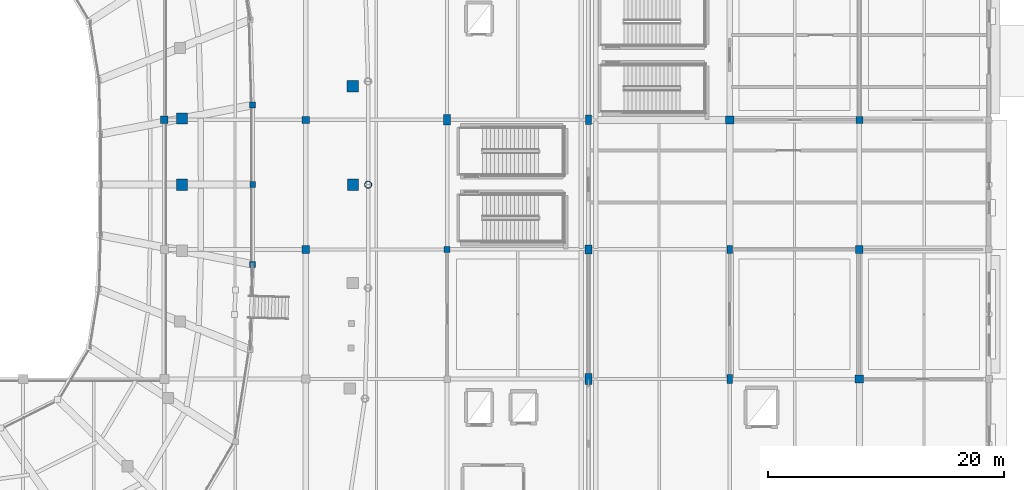
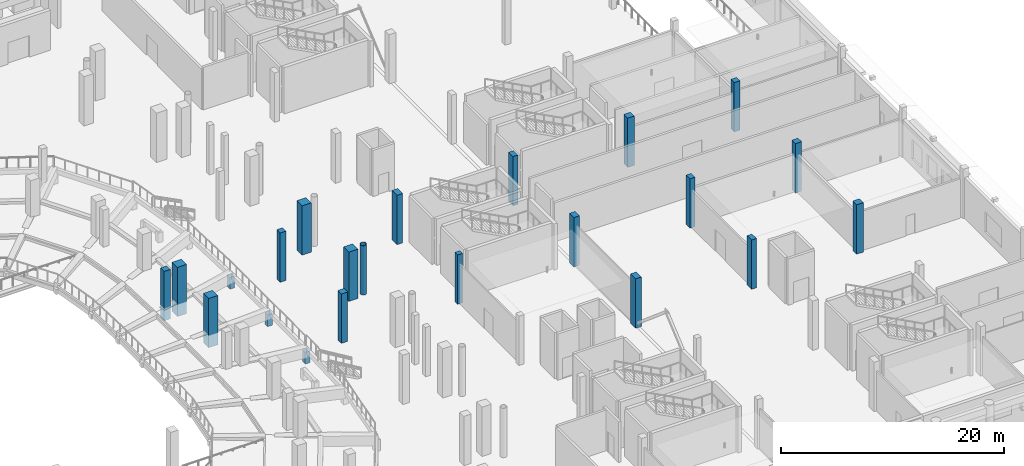
# One storey, part 11 of 120: 22 columns.
"""IFC4 building model written with IfcOpenShell, lengths in metres."""

import ifcopenshell
import ifcopenshell.guid

model = None  # the IFC model being written
_history = None  # IfcOwnerHistory: only IFC2X3 demands one
_inside = {}  # id of a spatial element -> (the spatial element, [elements in it])
_under = {}  # id of a project, library or spatial element -> (it, [spatial elements below it])
_declared = {}  # id of a project -> (the project, [libraries it declares])
_typed = {}  # id of a type object -> (the type object, [elements of that type])
_made_of = {}  # id of a material, layer set ... -> (it, [elements and type objects made of it])


def new_model(schema):
    """Start an empty IFC model of exactly this schema.

    Asked for "IFC4X3", IfcOpenShell would pick the latest addendum, in which some entities
    have other attributes; the version numbers below select the first issue.
    IFC2X3 requires an IfcOwnerHistory on every rooted entity: one is made here for all.
    """
    global model, _history
    if schema == "IFC4X3":
        model = ifcopenshell.file(schema_version=(4, 3, 0, 0))
    else:
        model = ifcopenshell.file(schema=schema)
    _inside.clear()
    _under.clear()
    _declared.clear()
    _typed.clear()
    _made_of.clear()
    _history = None
    if model.schema == "IFC2X3":
        org = make("IfcOrganization", Name="unknown")
        user = make(
            "IfcPersonAndOrganization",
            ThePerson=make("IfcPerson", FamilyName="unknown"),
            TheOrganization=org,
        )
        app = make(
            "IfcApplication",
            ApplicationDeveloper=org,
            Version="unknown",
            ApplicationFullName="unknown",
            ApplicationIdentifier="unknown",
        )
        _history = make(
            "IfcOwnerHistory",
            OwningUser=user,
            OwningApplication=app,
            ChangeAction="ADDED",
            CreationDate=0,
        )
    return model


def make(cls, **values):
    """One entity of the class cls with the attributes given. An attribute that is None is left unset."""
    return model.create_entity(
        cls, **{name: value for name, value in values.items() if value is not None}
    )


def rooted(cls, **values):
    """An entity with a GlobalId (a new one), such as an element, a storey or a relation."""
    return make(cls, GlobalId=ifcopenshell.guid.new(), OwnerHistory=_history, **values)


def si_unit(unit_type, name, prefix=None):
    """IfcSIUnit, for example si_unit("LENGTHUNIT", "METRE", prefix="MILLI")."""
    return make("IfcSIUnit", UnitType=unit_type, Prefix=prefix, Name=name)


def assignment(units):
    """IfcUnitAssignment: the units of a project."""
    return None if units is None else make("IfcUnitAssignment", Units=units)


def point(xyz):
    """IfcCartesianPoint."""
    return None if xyz is None else make("IfcCartesianPoint", Coordinates=xyz)


def direction(xyz):
    """IfcDirection."""
    return None if xyz is None else make("IfcDirection", DirectionRatios=xyz)


def frame(location, z_axis=None, x_axis=None):
    """IfcAxis2Placement3D, a coordinate frame: its origin and axes. An axis left out is left unset."""
    return make(
        "IfcAxis2Placement3D",
        Location=point(location),
        Axis=direction(z_axis),
        RefDirection=direction(x_axis),
    )


def frame_2d(location, x_axis=None):
    """IfcAxis2Placement2D, a coordinate frame in the plane: its origin and x axis."""
    return make(
        "IfcAxis2Placement2D", Location=point(location), RefDirection=direction(x_axis)
    )


def origin():
    """The frame at (0, 0, 0) with its axes left unset."""
    return frame((0.0, 0.0, 0.0))


def origin_2d():
    """The frame at (0, 0) in the plane with its x axis left unset."""
    return frame_2d((0.0, 0.0))


def place(relative_to, where):
    """IfcLocalPlacement: puts the frame where relative to a parent placement (None: the world)."""
    return make(
        "IfcLocalPlacement", PlacementRelTo=relative_to, RelativePlacement=where
    )


def context(
    kind, dimensions, precision=None, world=None, true_north=None, identifier=None
):
    """IfcGeometricRepresentationContext, for example the 3D "Model" context."""
    return make(
        "IfcGeometricRepresentationContext",
        ContextIdentifier=identifier,
        ContextType=kind,
        CoordinateSpaceDimension=dimensions,
        Precision=precision,
        WorldCoordinateSystem=world,
        TrueNorth=true_north,
    )


def subcontext(parent, identifier, kind, view, scale=None):
    """IfcGeometricRepresentationSubContext, for example "Body" below "Model"."""
    return make(
        "IfcGeometricRepresentationSubContext",
        ContextIdentifier=identifier,
        ContextType=kind,
        ParentContext=parent,
        TargetScale=scale,
        TargetView=view,
    )


def project(units=None, contexts=None):
    """IfcProject with its units and contexts."""
    return rooted(
        "IfcProject",
        Name="project",
        RepresentationContexts=contexts,
        UnitsInContext=assignment(units),
    )


def spatial(cls, under=None, at=None, **own):
    """A site, building, storey or space (cls), placed at a placement, below another one or the project."""
    s = rooted(cls, ObjectPlacement=at, **own)
    if under is not None:
        _under.setdefault(under.id(), (under, []))[1].append(s)
    return s


def profile(cls, at=None, kind="AREA", **sizes):
    """A parametric profile (cls). Its sizes go by their IFC names, for example OverallWidth=200.0."""
    return make(cls, ProfileType=kind, Position=at, **sizes)


def rectangle(**sizes):
    """IfcRectangleProfileDef."""
    return profile("IfcRectangleProfileDef", **sizes)


def hollow_circle(**sizes):
    """IfcCircleHollowProfileDef."""
    return profile("IfcCircleHollowProfileDef", **sizes)


def extrude(swept, where, along, depth):
    """IfcExtrudedAreaSolid: the profile swept, set in the frame where, extruded along a direction by depth."""
    return make(
        "IfcExtrudedAreaSolid",
        SweptArea=swept,
        Position=where,
        ExtrudedDirection=direction(along),
        Depth=depth,
    )


def shape(context_of_items, identifier, shape_type, items):
    """IfcShapeRepresentation: the items that make up one representation, for example the "Body"."""
    return make(
        "IfcShapeRepresentation",
        ContextOfItems=context_of_items,
        RepresentationIdentifier=identifier,
        RepresentationType=shape_type,
        Items=items,
    )


def material(Name=None, Category=None):
    """IfcMaterial."""
    return make("IfcMaterial", Name=Name, Category=Category)


def material_profile(
    of_material, cross_section, Name=None, Category=None, Priority=None
):
    """IfcMaterialProfile: a cross section and its material."""
    return make(
        "IfcMaterialProfile",
        Name=Name,
        Material=of_material,
        Profile=cross_section,
        Priority=Priority,
        Category=Category,
    )


def profile_set(profiles, Name=None, composite=None):
    """IfcMaterialProfileSet."""
    return make(
        "IfcMaterialProfileSet",
        Name=Name,
        MaterialProfiles=profiles,
        CompositeProfile=composite,
    )


def made_of(thing, what):
    """Note that an element or type object is made of a material, layer set ...; save() writes the relation."""
    if what is not None:
        _made_of.setdefault(what.id(), (what, []))[1].append(thing)
    return thing


def type_object(cls, material=None, **own):
    """A type object (cls), such as IfcWallType, which elements share."""
    return made_of(rooted(cls, **own), material)


def element(
    cls,
    number,
    at=None,
    inside=None,
    cuts=None,
    type_object=None,
    material=None,
    context=None,
    identifier="Body",
    shape_type=None,
    held_by="IfcProductDefinitionShape",
    body=None,
    shapes=None,
    **own,
):
    """One element of the class cls, such as IfcWall. Its Tag is "e" and its number.

    at: its placement. inside: the storey or other place that contains it. cuts: it is an
    opening in that element (IfcRelVoidsElement). A single representation is given by context,
    identifier, shape_type and body (its items); several are given by shapes. held_by: the class
    of the entity that holds the representations. save() writes the other relations.
    """
    e = rooted(cls, Tag="e%d" % number, ObjectPlacement=at, **own)
    if body is not None:
        shapes = [shape(context, identifier, shape_type, body)]
    if shapes is not None:
        e.Representation = make(held_by, Representations=shapes)
    if inside is not None:
        _inside.setdefault(inside.id(), (inside, []))[1].append(e)
    if cuts is not None:
        rooted(
            "IfcRelVoidsElement", RelatingBuildingElement=cuts, RelatedOpeningElement=e
        )
    if type_object is not None:
        _typed.setdefault(type_object.id(), (type_object, []))[1].append(e)
    return made_of(e, material)


def aggregate(whole, parts):
    """IfcRelAggregates: a whole, such as a stair, and the parts it consists of."""
    return rooted("IfcRelAggregates", RelatingObject=whole, RelatedObjects=parts)


def save(model, path):
    """Write the relations noted so far, then the file.

    IfcRelAggregates (storeys below a building ...), IfcRelContainedInSpatialStructure (elements
    in a storey), IfcRelDefinesByType, IfcRelAssociatesMaterial and IfcRelDeclares: one each for
    every whole, place, type object, material and project.
    """
    for whole, parts in _under.values():
        aggregate(whole, parts)
    for where, things in _inside.values():
        rooted(
            "IfcRelContainedInSpatialStructure",
            RelatedElements=things,
            RelatingStructure=where,
        )
    for kind, things in _typed.values():
        rooted("IfcRelDefinesByType", RelatedObjects=things, RelatingType=kind)
    for what, things in _made_of.values():
        rooted("IfcRelAssociatesMaterial", RelatedObjects=things, RelatingMaterial=what)
    for by, libraries in _declared.values():
        rooted("IfcRelDeclares", RelatingContext=by, RelatedDefinitions=libraries)
    model.write(path)


model = new_model("IFC4")

# Units and contexts
model_context = context("Model", 3, precision=1e-05, world=origin(), true_north=direction((0.0, 1.0)))
body_context = subcontext(model_context, "Body", "Model", "MODEL_VIEW")
ifc_project = project(units=[si_unit("LENGTHUNIT", "METRE"), si_unit("AREAUNIT", "SQUARE_METRE"), si_unit("VOLUMEUNIT", "CUBIC_METRE"), si_unit("PLANEANGLEUNIT", "RADIAN"), si_unit("MASSUNIT", "GRAM", prefix="KILO")], contexts=[model_context])

# Site, building, storey
site_placement = place(None, origin())
site = spatial("IfcSite", under=ifc_project, at=site_placement, CompositionType="ELEMENT")
building_placement = place(site_placement, origin())
building = spatial("IfcBuilding", under=site, at=building_placement, Name="Luwafu Chhajja Arena", CompositionType="ELEMENT")
storey_placement = place(building_placement, origin())
storey = spatial("IfcBuildingStorey", under=building, at=storey_placement, Name="L00", CompositionType="ELEMENT", Elevation=0.0)

# Columns
ifc_material_1 = material(Name="Concrete C35/45", Category="concrete")
ifc_material_profile_1 = material_profile(ifc_material_1, rectangle(XDim=0.5, YDim=0.800048828125, at=origin_2d()), Name="RC 500x800")
ifc_profile_set_1 = profile_set([ifc_material_profile_1], Name="Concrete C35/45")
column_type_1 = type_object("IfcColumnType", Name="BOH Frame Column RC 500x800", PredefinedType="COLUMN", material=ifc_profile_set_1)
for number, where, z_axis, x_axis, name in (
    (1, (164.0, 55.0, 0.0), (0.0, 0.0, 1.0), (1.0, 0.0, 0.0), "L00 Grid Column 15/F"),
    (2, (176.0, 33.0, 0.0), (0.0, 0.0, 1.0), (1.0, 0.0, 0.0), "L00 Grid Column 16/D"),
):
    element("IfcColumn", number, at=place(storey_placement, frame(where, z_axis=z_axis, x_axis=x_axis)), inside=storey, type_object=column_type_1, Name=name, PredefinedType="COLUMN", context=body_context, shape_type="SweptSolid", body=[
        extrude(rectangle(XDim=0.5, YDim=0.800048828125, at=origin_2d()), origin(), (0.0, 0.0, 1.0), 5.39990234375),
    ])
ifc_material_2 = material(Name="Concrete C40/50", Category="concrete")
ifc_material_profile_2 = material_profile(ifc_material_2, rectangle(XDim=0.949951171875, YDim=0.949951171875, at=origin_2d()), Name="RC 950x950")
ifc_profile_set_2 = profile_set([ifc_material_profile_2], Name="Concrete C40/50")
column_type_2 = type_object("IfcColumnType", Name="Bowl Raker Support Column RC 950", PredefinedType="COLUMN", material=ifc_profile_set_2)
for number, where, z_axis, x_axis, name in (
    (3, (129.5, 49.5, 0.0), (0.0, 0.0, 1.0), (1.0, 0.0, 0.0), "L00 Upper Bowl Raker Column UI01"),
    (4, (129.49169921875, 55.10791015625, 0.0), (0.0, 0.0, 1.0), (1.0, 0.0, 0.0), "L00 Upper Bowl Raker Column UI02"),
    (5, (144.0, 49.5, 0.0), (0.0, 0.0, 1.0), (1.0, 0.0, 0.0), "L00 Upper Bowl Raker Column UO01"),
    (6, (143.98779296875, 57.85205078125, 0.0), (0.0, 0.0, 1.0), (1.0, 0.0, 0.0), "L00 Upper Bowl Raker Column UO02"),
):
    element("IfcColumn", number, at=place(storey_placement, frame(where, z_axis=z_axis, x_axis=x_axis)), inside=storey, type_object=column_type_2, Name=name, PredefinedType="COLUMN", context=body_context, shape_type="SweptSolid", body=[
        extrude(rectangle(XDim=0.949951171875, YDim=0.949951171875, at=origin_2d()), origin(), (0.0, 0.0, 1.0), 5.39990234375),
    ])
ifc_material_profile_3 = material_profile(ifc_material_1, rectangle(XDim=0.60009765625, YDim=0.60009765625, at=origin_2d()), Name="RC 600x600")
ifc_profile_set_3 = profile_set([ifc_material_profile_3], Name="Concrete C35/45")
column_type_3 = type_object("IfcColumnType", Name="Mezzanine Column RC 600", PredefinedType="COLUMN", material=ifc_profile_set_3)
for number, where, z_axis, x_axis, name in (
    (7, (140.0, 55.0, 0.0), (0.0, 0.0, 1.0), (1.0, 0.0, 0.0), "L00 Grid Column 13/F"),
    (8, (187.0, 55.0, 0.0), (0.0, 0.0, 1.0), (1.0, 0.0, 0.0), "L00 Grid Column 17/F"),
):
    element("IfcColumn", number, at=place(storey_placement, frame(where, z_axis=z_axis, x_axis=x_axis)), inside=storey, type_object=column_type_3, Name=name, PredefinedType="COLUMN", context=body_context, shape_type="SweptSolid", body=[
        extrude(rectangle(XDim=0.60009765625, YDim=0.60009765625, at=origin_2d()), origin(), (0.0, 0.0, 1.0), 5.39990234375),
    ])
ifc_material_profile_4 = material_profile(ifc_material_1, rectangle(XDim=0.5, YDim=0.5, at=origin_2d()), Name="RC 500x500")
ifc_profile_set_4 = profile_set([ifc_material_profile_4], Name="Concrete C35/45")
column_type_4 = type_object("IfcColumnType", Name="Pavilion Column RC 500", PredefinedType="COLUMN", material=ifc_profile_set_4)
column_1_placement = place(storey_placement, frame((152.0, 44.0, 0.0), z_axis=(0.0, 0.0, 1.0), x_axis=(1.0, 0.0, 0.0)))
element("IfcColumn", 9, at=column_1_placement, inside=storey, type_object=column_type_4, Name="L00 Grid Column 14/E", PredefinedType="COLUMN", context=body_context, shape_type="SweptSolid", body=[
    extrude(rectangle(XDim=0.5, YDim=0.5, at=origin_2d()), origin(), (0.0, 0.0, 1.0), 5.39990234375),
])
for number, where, z_axis, x_axis, name in (
    (10, (135.5, 49.5, 0.0), (0.0, 0.0, 1.0), (1.0, 0.0, 0.0), "L00 Raker Heel Plinth 01"),
    (11, (135.490234375, 56.26123046875, 0.0), (0.0, 0.0, 1.0), (1.0, 0.0, 0.0), "L00 Raker Heel Plinth 02"),
    (12, (135.490234375, 42.73876953125, 0.0), (0.0, 0.0, 1.0), (1.0, 0.0, 0.0), "L00 Raker Heel Plinth 32"),
):
    element("IfcColumn", number, at=place(storey_placement, frame(where, z_axis=z_axis, x_axis=x_axis)), inside=storey, type_object=column_type_4, Name=name, PredefinedType="COLUMN", context=body_context, shape_type="SweptSolid", body=[
        extrude(rectangle(XDim=0.5, YDim=0.5, at=origin_2d()), origin(), (0.0, 0.0, 1.0), 1.280029296875),
    ])
ifc_material_profile_5 = material_profile(ifc_material_1, rectangle(XDim=0.5, YDim=0.699951171875, at=origin_2d()), Name="RC 500x700")
ifc_profile_set_5 = profile_set([ifc_material_profile_5], Name="Concrete C35/45")
column_type_5 = type_object("IfcColumnType", Name="Perimeter Pilaster Column RC 500x700", PredefinedType="COLUMN", material=ifc_profile_set_5)
column_2_placement = place(storey_placement, frame((176.0, 44.0, 0.0), z_axis=(0.0, 0.0, 1.0), x_axis=(1.0, 0.0, 0.0)))
element("IfcColumn", 13, at=column_2_placement, inside=storey, type_object=column_type_5, Name="L00 Grid Column 16/E", PredefinedType="COLUMN", context=body_context, shape_type="SweptSolid", body=[
    extrude(rectangle(XDim=0.5, YDim=0.699951171875, at=origin_2d()), origin(), (0.0, 0.0, 1.0), 5.39990234375),
])
ifc_material_profile_6 = material_profile(ifc_material_2, rectangle(XDim=0.60009765625, YDim=0.800048828125, at=origin_2d()), Name="RC 600x800")
ifc_profile_set_6 = profile_set([ifc_material_profile_6], Name="Concrete C40/50")
column_type_6 = type_object("IfcColumnType", Name="Pishtaq Pier Column RC 600x800", PredefinedType="COLUMN", material=ifc_profile_set_6)
column_3_placement = place(storey_placement, frame((164.0, 44.0, 0.0), z_axis=(0.0, 0.0, 1.0), x_axis=(1.0, 0.0, 0.0)))
element("IfcColumn", 14, at=column_3_placement, inside=storey, type_object=column_type_6, Name="L00 Grid Column 15/E", PredefinedType="COLUMN", context=body_context, shape_type="SweptSolid", body=[
    extrude(rectangle(XDim=0.60009765625, YDim=0.800048828125, at=origin_2d()), origin(), (0.0, 0.0, 1.0), 5.39990234375),
])
ifc_material_3 = material(Name="Steel S355", Category="steel")
ifc_material_profile_7 = material_profile(ifc_material_3, hollow_circle(Radius=0.304931640625, WallThickness=0.02490234375, at=origin_2d()), Name="CHS 610x25")
ifc_profile_set_7 = profile_set([ifc_material_profile_7], Name="Steel S355")
column_type_7 = type_object("IfcColumnType", Name="Steel Bowl Drum Column CHS 610", PredefinedType="COLUMN", material=ifc_profile_set_7)
column_4_placement = place(storey_placement, frame((145.300048828125, 49.5, 0.0), z_axis=(0.0, 0.0, 1.0), x_axis=(1.0, 0.0, 0.0)))
element("IfcColumn", 15, at=column_4_placement, inside=storey, type_object=column_type_7, Name="L00 Bowl Drum Column D01", PredefinedType="COLUMN", context=body_context, shape_type="SweptSolid", body=[
    extrude(hollow_circle(Radius=0.304931640625, WallThickness=0.02490234375, at=origin_2d()), origin(), (0.0, 0.0, 1.0), 5.39990234375),
])
ifc_material_profile_8 = material_profile(ifc_material_1, rectangle(XDim=0.64990234375, YDim=0.64990234375, at=origin_2d()), Name="RC 650x650")
ifc_profile_set_8 = profile_set([ifc_material_profile_8], Name="Concrete C35/45")
column_type_8 = type_object("IfcColumnType", Name="Upper Wing Column RC 650", PredefinedType="COLUMN", material=ifc_profile_set_8)
for number, where, z_axis, x_axis, name in (
    (16, (128.0, 55.0, 0.0), (0.0, 0.0, 1.0), (1.0, 0.0, 0.0), "L00 Grid Column 12/F"),
    (17, (140.0, 44.0, 0.0), (0.0, 0.0, 1.0), (1.0, 0.0, 0.0), "L00 Grid Column 13/E"),
    (18, (187.0, 44.0, 0.0), (0.0, 0.0, 1.0), (1.0, 0.0, 0.0), "L00 Grid Column 17/E"),
):
    element("IfcColumn", number, at=place(storey_placement, frame(where, z_axis=z_axis, x_axis=x_axis)), inside=storey, type_object=column_type_8, Name=name, PredefinedType="COLUMN", context=body_context, shape_type="SweptSolid", body=[
        extrude(rectangle(XDim=0.64990234375, YDim=0.64990234375, at=origin_2d()), origin(), (0.0, 0.0, 1.0), 5.39990234375),
    ])
ifc_material_profile_9 = material_profile(ifc_material_2, rectangle(XDim=0.60009765625, YDim=0.89990234375, at=origin_2d()), Name="RC 600x900")
ifc_profile_set_9 = profile_set([ifc_material_profile_9], Name="Concrete C40/50")
column_type_9 = type_object("IfcColumnType", Name="Warm-Up Hall Portal Column RC 600x900", PredefinedType="COLUMN", material=ifc_profile_set_9)
for number, where, z_axis, x_axis, name in (
    (19, (152.0, 55.0, 0.0), (0.0, 0.0, 1.0), (1.0, 0.0, 0.0), "L00 Grid Column 14/F"),
    (20, (164.0, 33.0, 0.0), (0.0, 0.0, 1.0), (1.0, 0.0, 0.0), "L00 Grid Column 15/D"),
):
    element("IfcColumn", number, at=place(storey_placement, frame(where, z_axis=z_axis, x_axis=x_axis)), inside=storey, type_object=column_type_9, Name=name, PredefinedType="COLUMN", context=body_context, shape_type="SweptSolid", body=[
        extrude(rectangle(XDim=0.60009765625, YDim=0.89990234375, at=origin_2d()), origin(), (0.0, 0.0, 1.0), 5.39990234375),
    ])
ifc_material_profile_10 = material_profile(ifc_material_1, rectangle(XDim=0.699951171875, YDim=0.699951171875, at=origin_2d()), Name="RC 700x700")
ifc_profile_set_10 = profile_set([ifc_material_profile_10], Name="Concrete C35/45")
column_type_10 = type_object("IfcColumnType", Name="Wing Frame Column RC 700", PredefinedType="COLUMN", material=ifc_profile_set_10)
for number, where, z_axis, x_axis, name in (
    (21, (176.0, 55.0, 0.0), (0.0, 0.0, 1.0), (1.0, 0.0, 0.0), "L00 Grid Column 16/F"),
    (22, (187.0, 33.0, 0.0), (0.0, 0.0, 1.0), (1.0, 0.0, 0.0), "L00 Grid Column 17/D"),
):
    element("IfcColumn", number, at=place(storey_placement, frame(where, z_axis=z_axis, x_axis=x_axis)), inside=storey, type_object=column_type_10, Name=name, PredefinedType="COLUMN", context=body_context, shape_type="SweptSolid", body=[
        extrude(rectangle(XDim=0.699951171875, YDim=0.699951171875, at=origin_2d()), origin(), (0.0, 0.0, 1.0), 5.39990234375),
    ])

save(model, "model.ifc")
